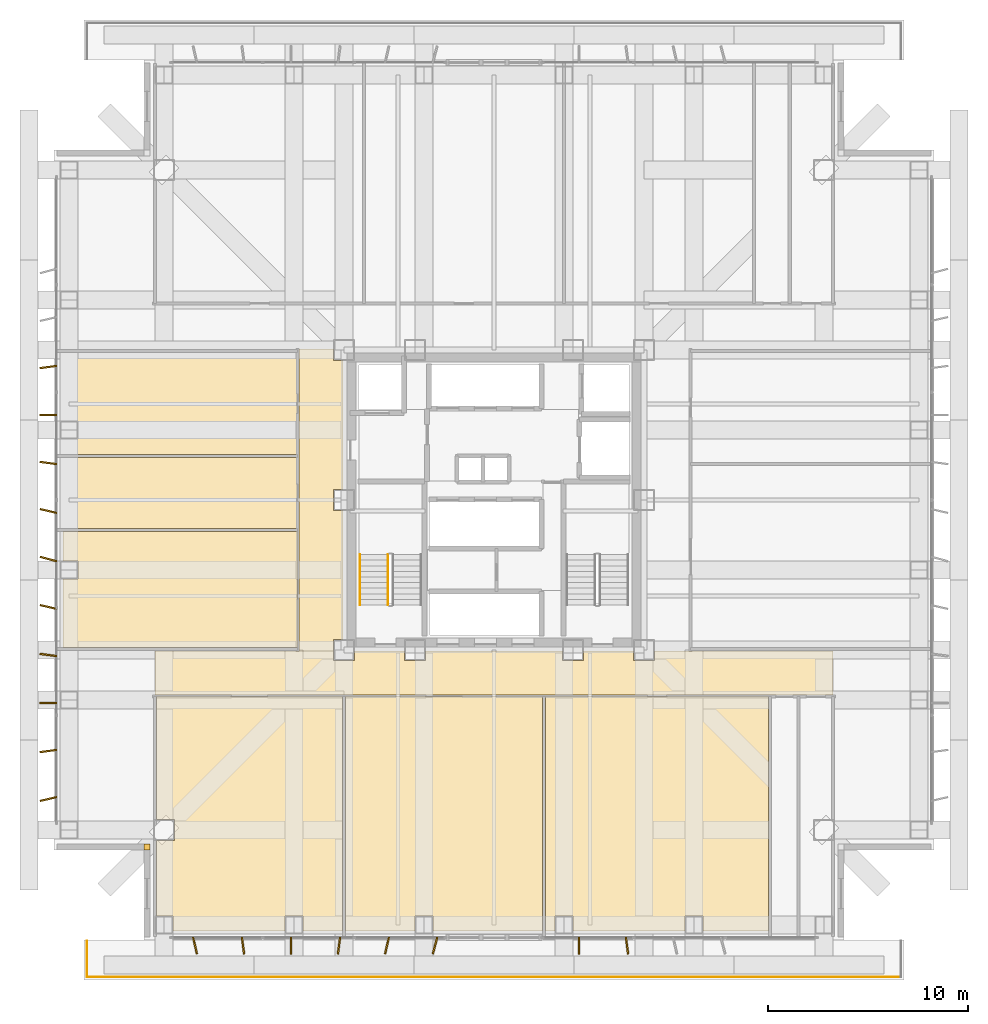
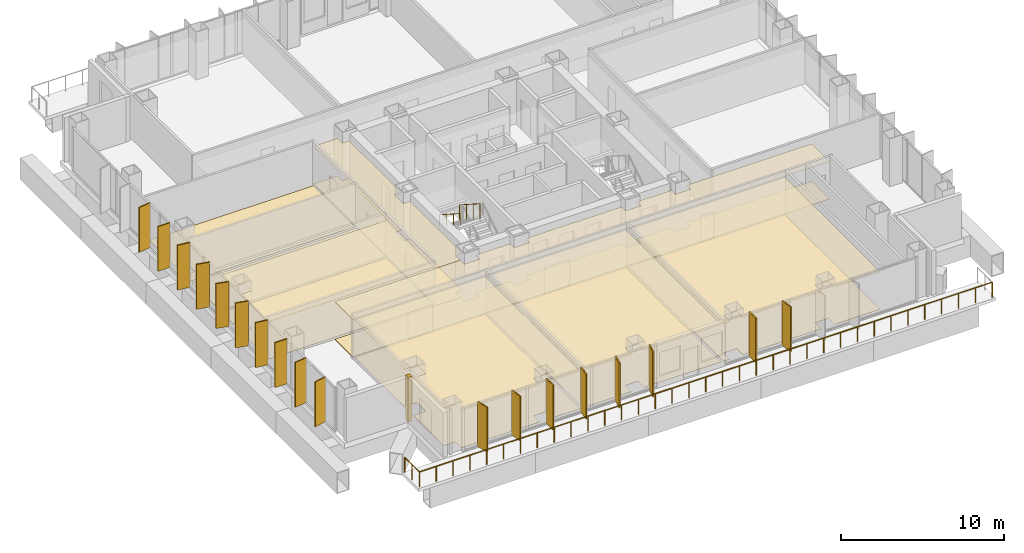
# One storey, part 15 of 17: 18 shading devices, 15 coverings, 4 railings.
"""IFC4 building model written with IfcOpenShell, lengths in metres."""

import ifcopenshell
import ifcopenshell.guid

model = None  # the IFC model being written
_history = None  # IfcOwnerHistory: only IFC2X3 demands one
_inside = {}  # id of a spatial element -> (the spatial element, [elements in it])
_under = {}  # id of a project, library or spatial element -> (it, [spatial elements below it])
_declared = {}  # id of a project -> (the project, [libraries it declares])
_typed = {}  # id of a type object -> (the type object, [elements of that type])
_made_of = {}  # id of a material, layer set ... -> (it, [elements and type objects made of it])


def new_model(schema):
    """Start an empty IFC model of exactly this schema.

    Asked for "IFC4X3", IfcOpenShell would pick the latest addendum, in which some entities
    have other attributes; the version numbers below select the first issue.
    IFC2X3 requires an IfcOwnerHistory on every rooted entity: one is made here for all.
    """
    global model, _history
    if schema == "IFC4X3":
        model = ifcopenshell.file(schema_version=(4, 3, 0, 0))
    else:
        model = ifcopenshell.file(schema=schema)
    _inside.clear()
    _under.clear()
    _declared.clear()
    _typed.clear()
    _made_of.clear()
    _history = None
    if model.schema == "IFC2X3":
        org = make("IfcOrganization", Name="unknown")
        user = make(
            "IfcPersonAndOrganization",
            ThePerson=make("IfcPerson", FamilyName="unknown"),
            TheOrganization=org,
        )
        app = make(
            "IfcApplication",
            ApplicationDeveloper=org,
            Version="unknown",
            ApplicationFullName="unknown",
            ApplicationIdentifier="unknown",
        )
        _history = make(
            "IfcOwnerHistory",
            OwningUser=user,
            OwningApplication=app,
            ChangeAction="ADDED",
            CreationDate=0,
        )
    return model


def make(cls, **values):
    """One entity of the class cls with the attributes given. An attribute that is None is left unset."""
    return model.create_entity(
        cls, **{name: value for name, value in values.items() if value is not None}
    )


def rooted(cls, **values):
    """An entity with a GlobalId (a new one), such as an element, a storey or a relation."""
    return make(cls, GlobalId=ifcopenshell.guid.new(), OwnerHistory=_history, **values)


def si_unit(unit_type, name, prefix=None):
    """IfcSIUnit, for example si_unit("LENGTHUNIT", "METRE", prefix="MILLI")."""
    return make("IfcSIUnit", UnitType=unit_type, Prefix=prefix, Name=name)


def assignment(units):
    """IfcUnitAssignment: the units of a project."""
    return None if units is None else make("IfcUnitAssignment", Units=units)


def point(xyz):
    """IfcCartesianPoint."""
    return None if xyz is None else make("IfcCartesianPoint", Coordinates=xyz)


def direction(xyz):
    """IfcDirection."""
    return None if xyz is None else make("IfcDirection", DirectionRatios=xyz)


def frame(location, z_axis=None, x_axis=None):
    """IfcAxis2Placement3D, a coordinate frame: its origin and axes. An axis left out is left unset."""
    return make(
        "IfcAxis2Placement3D",
        Location=point(location),
        Axis=direction(z_axis),
        RefDirection=direction(x_axis),
    )


def frame_2d(location, x_axis=None):
    """IfcAxis2Placement2D, a coordinate frame in the plane: its origin and x axis."""
    return make(
        "IfcAxis2Placement2D", Location=point(location), RefDirection=direction(x_axis)
    )


def origin():
    """The frame at (0, 0, 0) with its axes left unset."""
    return frame((0.0, 0.0, 0.0))


def origin_2d():
    """The frame at (0, 0) in the plane with its x axis left unset."""
    return frame_2d((0.0, 0.0))


def place(relative_to, where):
    """IfcLocalPlacement: puts the frame where relative to a parent placement (None: the world)."""
    return make(
        "IfcLocalPlacement", PlacementRelTo=relative_to, RelativePlacement=where
    )


def context(
    kind, dimensions, precision=None, world=None, true_north=None, identifier=None
):
    """IfcGeometricRepresentationContext, for example the 3D "Model" context."""
    return make(
        "IfcGeometricRepresentationContext",
        ContextIdentifier=identifier,
        ContextType=kind,
        CoordinateSpaceDimension=dimensions,
        Precision=precision,
        WorldCoordinateSystem=world,
        TrueNorth=true_north,
    )


def subcontext(parent, identifier, kind, view, scale=None):
    """IfcGeometricRepresentationSubContext, for example "Body" below "Model"."""
    return make(
        "IfcGeometricRepresentationSubContext",
        ContextIdentifier=identifier,
        ContextType=kind,
        ParentContext=parent,
        TargetScale=scale,
        TargetView=view,
    )


def project(units=None, contexts=None):
    """IfcProject with its units and contexts."""
    return rooted(
        "IfcProject",
        Name="project",
        RepresentationContexts=contexts,
        UnitsInContext=assignment(units),
    )


def spatial(cls, under=None, at=None, **own):
    """A site, building, storey or space (cls), placed at a placement, below another one or the project."""
    s = rooted(cls, ObjectPlacement=at, **own)
    if under is not None:
        _under.setdefault(under.id(), (under, []))[1].append(s)
    return s


def polyline(points):
    """IfcPolyline through the points."""
    return make("IfcPolyline", Points=[point(p) for p in points])


def profile(cls, at=None, kind="AREA", **sizes):
    """A parametric profile (cls). Its sizes go by their IFC names, for example OverallWidth=200.0."""
    return make(cls, ProfileType=kind, Position=at, **sizes)


def rectangle(**sizes):
    """IfcRectangleProfileDef."""
    return profile("IfcRectangleProfileDef", **sizes)


def circle(**sizes):
    """IfcCircleProfileDef."""
    return profile("IfcCircleProfileDef", **sizes)


def outline(outer, holes=None, kind="AREA"):
    """IfcArbitraryClosedProfileDef: a profile drawn as a closed curve; with holes, ...WithVoids."""
    if holes is None:
        return make("IfcArbitraryClosedProfileDef", ProfileType=kind, OuterCurve=outer)
    return make(
        "IfcArbitraryProfileDefWithVoids",
        ProfileType=kind,
        OuterCurve=outer,
        InnerCurves=holes,
    )


def extrude(swept, where, along, depth):
    """IfcExtrudedAreaSolid: the profile swept, set in the frame where, extruded along a direction by depth."""
    return make(
        "IfcExtrudedAreaSolid",
        SweptArea=swept,
        Position=where,
        ExtrudedDirection=direction(along),
        Depth=depth,
    )


def shape(context_of_items, identifier, shape_type, items):
    """IfcShapeRepresentation: the items that make up one representation, for example the "Body"."""
    return make(
        "IfcShapeRepresentation",
        ContextOfItems=context_of_items,
        RepresentationIdentifier=identifier,
        RepresentationType=shape_type,
        Items=items,
    )


def material(Name=None, Category=None):
    """IfcMaterial."""
    return make("IfcMaterial", Name=Name, Category=Category)


def layer(
    of_material, thickness, ventilated=None, Name=None, Category=None, Priority=None
):
    """IfcMaterialLayer: one layer of a wall or slab, of a material (None: an air gap)."""
    return make(
        "IfcMaterialLayer",
        Material=of_material,
        LayerThickness=thickness,
        IsVentilated=ventilated,
        Name=Name,
        Category=Category,
        Priority=Priority,
    )


def layer_set(layers, Name=None):
    """IfcMaterialLayerSet."""
    return make("IfcMaterialLayerSet", MaterialLayers=layers, LayerSetName=Name)


def made_of(thing, what):
    """Note that an element or type object is made of a material, layer set ...; save() writes the relation."""
    if what is not None:
        _made_of.setdefault(what.id(), (what, []))[1].append(thing)
    return thing


def type_object(cls, material=None, **own):
    """A type object (cls), such as IfcWallType, which elements share."""
    return made_of(rooted(cls, **own), material)


def element(
    cls,
    number,
    at=None,
    inside=None,
    cuts=None,
    type_object=None,
    material=None,
    context=None,
    identifier="Body",
    shape_type=None,
    held_by="IfcProductDefinitionShape",
    body=None,
    shapes=None,
    **own,
):
    """One element of the class cls, such as IfcWall. Its Tag is "e" and its number.

    at: its placement. inside: the storey or other place that contains it. cuts: it is an
    opening in that element (IfcRelVoidsElement). A single representation is given by context,
    identifier, shape_type and body (its items); several are given by shapes. held_by: the class
    of the entity that holds the representations. save() writes the other relations.
    """
    e = rooted(cls, Tag="e%d" % number, ObjectPlacement=at, **own)
    if body is not None:
        shapes = [shape(context, identifier, shape_type, body)]
    if shapes is not None:
        e.Representation = make(held_by, Representations=shapes)
    if inside is not None:
        _inside.setdefault(inside.id(), (inside, []))[1].append(e)
    if cuts is not None:
        rooted(
            "IfcRelVoidsElement", RelatingBuildingElement=cuts, RelatedOpeningElement=e
        )
    if type_object is not None:
        _typed.setdefault(type_object.id(), (type_object, []))[1].append(e)
    return made_of(e, material)


def aggregate(whole, parts):
    """IfcRelAggregates: a whole, such as a stair, and the parts it consists of."""
    return rooted("IfcRelAggregates", RelatingObject=whole, RelatedObjects=parts)


def save(model, path):
    """Write the relations noted so far, then the file.

    IfcRelAggregates (storeys below a building ...), IfcRelContainedInSpatialStructure (elements
    in a storey), IfcRelDefinesByType, IfcRelAssociatesMaterial and IfcRelDeclares: one each for
    every whole, place, type object, material and project.
    """
    for whole, parts in _under.values():
        aggregate(whole, parts)
    for where, things in _inside.values():
        rooted(
            "IfcRelContainedInSpatialStructure",
            RelatedElements=things,
            RelatingStructure=where,
        )
    for kind, things in _typed.values():
        rooted("IfcRelDefinesByType", RelatedObjects=things, RelatingType=kind)
    for what, things in _made_of.values():
        rooted("IfcRelAssociatesMaterial", RelatedObjects=things, RelatingMaterial=what)
    for by, libraries in _declared.values():
        rooted("IfcRelDeclares", RelatingContext=by, RelatedDefinitions=libraries)
    model.write(path)


model = new_model("IFC4")

# Units and contexts
model_context = context("Model", 3, precision=1e-05, world=origin(), true_north=direction((0.0, 1.0)))
body_context = subcontext(model_context, "Body", "Model", "MODEL_VIEW")
ifc_project = project(units=[si_unit("LENGTHUNIT", "METRE"), si_unit("AREAUNIT", "SQUARE_METRE"), si_unit("VOLUMEUNIT", "CUBIC_METRE"), si_unit("PLANEANGLEUNIT", "RADIAN"), si_unit("MASSUNIT", "GRAM", prefix="KILO")], contexts=[model_context])

# Site, building, storey
site_placement = place(None, origin())
site = spatial("IfcSite", under=ifc_project, at=site_placement, CompositionType="ELEMENT")
building_placement = place(site_placement, origin())
building = spatial("IfcBuilding", under=site, at=building_placement, Name="Trevonay Congress Spire", CompositionType="ELEMENT")
storey_placement = place(building_placement, frame((0.0, 0.0, 94.0)))
storey = spatial("IfcBuildingStorey", under=building, at=storey_placement, Name="L23", CompositionType="ELEMENT", Elevation=94.0)

# Coverings
ifc_material_1 = material(Name="Acoustic Mineral Fibre Board", Category="gypsum")
ifc_layer_1 = layer(ifc_material_1, 0.02490234375, Name="Acoustic Mineral Fibre Board")
ifc_layer_set_1 = layer_set([ifc_layer_1], Name="Acoustic Mineral Fibre Board")
covering_type_1 = type_object("IfcCoveringType", Name="COV-CEIL-ACOUSTIC", PredefinedType="CEILING", material=ifc_layer_set_1)
covering_1_placement = place(storey_placement, frame((0.0, 0.0, 2.81005859375)))
element("IfcCovering", 1, at=covering_1_placement, inside=storey, type_object=covering_type_1, Name="L23 Sky Lobby Concourse South acoustic suspended ceiling", PredefinedType="CEILING", context=body_context, shape_type="SweptSolid", body=[
    extrude(outline(polyline([(16.949951171875, -7.550048828125), (16.949951171875, -9.75), (-16.949951171875, -9.75), (-16.949951171875, -7.550048828125), (-8.034912109375, -7.550048828125), (-8.034912109375, -8.034912109375), (-6.965087890625, -8.034912109375), (-6.965087890625, -7.550048828125), (-4.485107421875, -7.550048828125), (-4.485107421875, -8.034912109375), (-3.4150390625, -8.034912109375), (-3.4150390625, -7.550048828125), (3.4150390625, -7.550048828125), (3.4150390625, -8.034912109375), (4.485107421875, -8.034912109375), (4.485107421875, -7.550048828125), (6.965087890625, -7.550048828125), (6.965087890625, -8.034912109375), (8.034912109375, -8.034912109375), (8.034912109375, -7.550048828125), (16.949951171875, -7.550048828125)])), origin(), (0.0, 0.0, 1.0), 0.02490234375),
])
covering_2_placement = place(storey_placement, frame((0.0, 0.0, 2.81005859375)))
element("IfcCovering", 2, at=covering_2_placement, inside=storey, type_object=covering_type_1, Name="L23 Sky Lobby Concourse West acoustic suspended ceiling", PredefinedType="CEILING", context=body_context, shape_type="SweptSolid", body=[
    extrude(outline(polyline([(-9.75, 7.550048828125), (-8.034912109375, 7.550048828125), (-8.034912109375, 6.965087890625), (-7.550048828125, 6.965087890625), (-7.550048828125, 0.534912109375), (-8.034912109375, 0.534912109375), (-8.034912109375, -0.534912109375), (-7.550048828125, -0.534912109375), (-7.550048828125, -6.965087890625), (-8.034912109375, -6.965087890625), (-8.034912109375, -7.550048828125), (-9.75, -7.550048828125), (-9.75, 7.550048828125)])), origin(), (0.0, 0.0, 1.0), 0.02490234375),
])
covering_3_placement = place(storey_placement, frame((0.0, 0.0, 2.81005859375)))
element("IfcCovering", 3, at=covering_3_placement, inside=storey, type_object=covering_type_1, Name="L23 Zone 2 Sky-Garden Reception Lounge acoustic suspended ceiling", PredefinedType="CEILING", context=body_context, shape_type="SweptSolid", body=[
    extrude(outline(polyline([(-16.0400390625, -21.550048828125), (-16.0400390625, -20.7900390625), (-16.8701171875, -20.7900390625), (-16.8701171875, -17.034912109375), (-15.965087890625, -17.034912109375), (-15.965087890625, -15.965087890625), (-16.8701171875, -15.965087890625), (-16.8701171875, -9.830078125), (-7.580078125, -9.830078125), (-7.580078125, -21.550048828125), (-9.5400390625, -21.550048828125), (-9.5400390625, -20.7900390625), (-10.4599609375, -20.7900390625), (-10.4599609375, -21.550048828125), (-16.0400390625, -21.550048828125)])), origin(), (0.0, 0.0, 1.0), 0.02490234375),
])
covering_4_placement = place(storey_placement, frame((0.0, 0.0, 2.81005859375)))
element("IfcCovering", 4, at=covering_4_placement, inside=storey, type_object=covering_type_1, Name="L23 Delegate Espresso Bar acoustic suspended ceiling", PredefinedType="CEILING", context=body_context, shape_type="SweptSolid", body=[
    extrude(outline(polyline([(-7.419921875, -21.550048828125), (-7.419921875, -9.830078125), (2.419921875, -9.830078125), (2.419921875, -21.550048828125), (-3.0400390625, -21.550048828125), (-3.0400390625, -20.7900390625), (-3.9599609375, -20.7900390625), (-3.9599609375, -21.550048828125), (-7.419921875, -21.550048828125)])), origin(), (0.0, 0.0, 1.0), 0.02490234375),
])
covering_5_placement = place(storey_placement, frame((0.0, 0.0, 2.81005859375)))
element("IfcCovering", 5, at=covering_5_placement, inside=storey, type_object=covering_type_1, Name="L23 Sky-Lobby Concierge Office acoustic suspended ceiling", PredefinedType="CEILING", context=body_context, shape_type="SweptSolid", body=[
    extrude(outline(polyline([(2.580078125, -21.550048828125), (2.580078125, -9.830078125), (13.719970703125, -9.830078125), (13.719970703125, -21.550048828125), (10.4599609375, -21.550048828125), (10.4599609375, -20.7900390625), (9.5400390625, -20.7900390625), (9.5400390625, -21.550048828125), (3.9599609375, -21.550048828125), (3.9599609375, -20.7900390625), (3.0400390625, -20.7900390625), (3.0400390625, -21.550048828125), (2.580078125, -21.550048828125)])), origin(), (0.0, 0.0, 1.0), 0.02490234375),
])
covering_6_placement = place(storey_placement, frame((0.0, 0.0, 2.81005859375)))
element("IfcCovering", 6, at=covering_6_placement, inside=storey, type_object=covering_type_1, Name="L23 Accreditation Desk Hall acoustic suspended ceiling", PredefinedType="CEILING", context=body_context, shape_type="SweptSolid", body=[
    extrude(outline(polyline([(-21.550048828125, -1.580078125), (-9.830078125, -1.580078125), (-9.830078125, -7.3701171875), (-21.550048828125, -7.3701171875), (-21.550048828125, -3.9599609375), (-20.7900390625, -3.9599609375), (-20.7900390625, -3.0400390625), (-21.550048828125, -3.0400390625), (-21.550048828125, -1.580078125)])), origin(), (0.0, 0.0, 1.0), 0.02490234375),
])
ifc_material_2 = material(Name="Polished Granite Floor Tile", Category="masonry")
ifc_layer_2 = layer(ifc_material_2, 0.02001953125, Name="Polished Granite Floor Tile")
ifc_layer_set_2 = layer_set([ifc_layer_2], Name="Polished Granite Floor Tile")
covering_type_2 = type_object("IfcCoveringType", Name="COV-FLOOR-STONE", PredefinedType="FLOORING", material=ifc_layer_set_2)
covering_7_placement = place(storey_placement, origin())
element("IfcCovering", 7, at=covering_7_placement, inside=storey, type_object=covering_type_2, Name="L23 Sky Lobby Concourse South floor finish", PredefinedType="FLOORING", context=body_context, shape_type="SweptSolid", body=[
    extrude(outline(polyline([(16.949951171875, -7.550048828125), (16.949951171875, -9.75), (-16.949951171875, -9.75), (-16.949951171875, -7.550048828125), (-8.034912109375, -7.550048828125), (-8.034912109375, -8.034912109375), (-6.965087890625, -8.034912109375), (-6.965087890625, -7.550048828125), (-4.485107421875, -7.550048828125), (-4.485107421875, -8.034912109375), (-3.4150390625, -8.034912109375), (-3.4150390625, -7.550048828125), (3.4150390625, -7.550048828125), (3.4150390625, -8.034912109375), (4.485107421875, -8.034912109375), (4.485107421875, -7.550048828125), (6.965087890625, -7.550048828125), (6.965087890625, -8.034912109375), (8.034912109375, -8.034912109375), (8.034912109375, -7.550048828125), (16.949951171875, -7.550048828125)])), origin(), (0.0, 0.0, 1.0), 0.02001953125),
])
covering_8_placement = place(storey_placement, origin())
element("IfcCovering", 8, at=covering_8_placement, inside=storey, type_object=covering_type_2, Name="L23 Sky Lobby Concourse West floor finish", PredefinedType="FLOORING", context=body_context, shape_type="SweptSolid", body=[
    extrude(outline(polyline([(-9.75, 7.550048828125), (-8.034912109375, 7.550048828125), (-8.034912109375, 6.965087890625), (-7.550048828125, 6.965087890625), (-7.550048828125, 0.534912109375), (-8.034912109375, 0.534912109375), (-8.034912109375, -0.534912109375), (-7.550048828125, -0.534912109375), (-7.550048828125, -6.965087890625), (-8.034912109375, -6.965087890625), (-8.034912109375, -7.550048828125), (-9.75, -7.550048828125), (-9.75, 7.550048828125)])), origin(), (0.0, 0.0, 1.0), 0.02001953125),
])
covering_9_placement = place(storey_placement, origin())
element("IfcCovering", 9, at=covering_9_placement, inside=storey, type_object=covering_type_2, Name="L23 Delegate Espresso Bar floor finish", PredefinedType="FLOORING", context=body_context, shape_type="SweptSolid", body=[
    extrude(outline(polyline([(-7.419921875, -21.550048828125), (-7.419921875, -9.830078125), (2.419921875, -9.830078125), (2.419921875, -21.550048828125), (-3.0400390625, -21.550048828125), (-3.0400390625, -20.7900390625), (-3.9599609375, -20.7900390625), (-3.9599609375, -21.550048828125), (-7.419921875, -21.550048828125)])), origin(), (0.0, 0.0, 1.0), 0.02001953125),
])
covering_10_placement = place(storey_placement, origin())
element("IfcCovering", 10, at=covering_10_placement, inside=storey, type_object=covering_type_2, Name="L23 Male Restroom WC floor finish", PredefinedType="FLOORING", context=body_context, shape_type="SweptSolid", body=[
    extrude(outline(polyline([(-21.550048828125, -1.419921875), (-9.830078125, -1.419921875), (-9.830078125, 2.1201171875), (-21.550048828125, 2.1201171875), (-21.550048828125, -1.419921875)])), origin(), (0.0, 0.0, 1.0), 0.02001953125),
])
covering_11_placement = place(storey_placement, origin())
element("IfcCovering", 11, at=covering_11_placement, inside=storey, type_object=covering_type_2, Name="L23 Luggage Room floor finish", PredefinedType="FLOORING", context=body_context, shape_type="SweptSolid", body=[
    extrude(outline(polyline([(-21.550048828125, 7.3701171875), (-9.830078125, 7.3701171875), (-9.830078125, 2.280029296875), (-21.550048828125, 2.280029296875), (-21.550048828125, 3.0400390625), (-20.7900390625, 3.0400390625), (-20.7900390625, 3.9599609375), (-21.550048828125, 3.9599609375), (-21.550048828125, 7.3701171875)])), origin(), (0.0, 0.0, 1.0), 0.02001953125),
])
ifc_material_3 = material(Name="Engineered Oak Flooring", Category="wood")
ifc_layer_3 = layer(ifc_material_3, 0.01806640625, Name="Engineered Oak Flooring")
ifc_layer_set_3 = layer_set([ifc_layer_3], Name="Engineered Oak Flooring")
covering_type_3 = type_object("IfcCoveringType", Name="COV-FLOOR-TIMBER", PredefinedType="FLOORING", material=ifc_layer_set_3)
covering_12_placement = place(storey_placement, origin())
element("IfcCovering", 12, at=covering_12_placement, inside=storey, type_object=covering_type_3, Name="L23 Zone 2 Sky-Garden Reception Lounge floor finish", PredefinedType="FLOORING", context=body_context, shape_type="SweptSolid", body=[
    extrude(outline(polyline([(-16.0400390625, -21.550048828125), (-16.0400390625, -20.7900390625), (-16.8701171875, -20.7900390625), (-16.8701171875, -17.034912109375), (-15.965087890625, -17.034912109375), (-15.965087890625, -15.965087890625), (-16.8701171875, -15.965087890625), (-16.8701171875, -9.830078125), (-7.580078125, -9.830078125), (-7.580078125, -21.550048828125), (-9.5400390625, -21.550048828125), (-9.5400390625, -20.7900390625), (-10.4599609375, -20.7900390625), (-10.4599609375, -21.550048828125), (-16.0400390625, -21.550048828125)])), origin(), (0.0, 0.0, 1.0), 0.01806640625),
])
covering_13_placement = place(storey_placement, origin())
element("IfcCovering", 13, at=covering_13_placement, inside=storey, type_object=covering_type_3, Name="L23 Sky-Lobby Concierge Office floor finish", PredefinedType="FLOORING", context=body_context, shape_type="SweptSolid", body=[
    extrude(outline(polyline([(2.580078125, -21.550048828125), (2.580078125, -9.830078125), (13.719970703125, -9.830078125), (13.719970703125, -21.550048828125), (10.4599609375, -21.550048828125), (10.4599609375, -20.7900390625), (9.5400390625, -20.7900390625), (9.5400390625, -21.550048828125), (3.9599609375, -21.550048828125), (3.9599609375, -20.7900390625), (3.0400390625, -20.7900390625), (3.0400390625, -21.550048828125), (2.580078125, -21.550048828125)])), origin(), (0.0, 0.0, 1.0), 0.01806640625),
])
covering_14_placement = place(storey_placement, origin())
element("IfcCovering", 14, at=covering_14_placement, inside=storey, type_object=covering_type_3, Name="L23 Accreditation Desk Hall floor finish", PredefinedType="FLOORING", context=body_context, shape_type="SweptSolid", body=[
    extrude(outline(polyline([(-21.550048828125, -1.580078125), (-9.830078125, -1.580078125), (-9.830078125, -7.3701171875), (-21.550048828125, -7.3701171875), (-21.550048828125, -3.9599609375), (-20.7900390625, -3.9599609375), (-20.7900390625, -3.0400390625), (-21.550048828125, -3.0400390625), (-21.550048828125, -1.580078125)])), origin(), (0.0, 0.0, 1.0), 0.01806640625),
])
ifc_material_4 = material(Name="Pale Anodised Aluminium EN AW-6063-T6", Category="aluminium")
ifc_layer_4 = layer(ifc_material_4, 0.0400390625, Name="Pale Anodised Aluminium EN AW-6063-T6")
ifc_layer_set_4 = layer_set([ifc_layer_4], Name="Pale Anodised Aluminium EN AW-6063-T6")
covering_type_4 = type_object("IfcCoveringType", Name="COV-SPANDREL-PALE-METAL", PredefinedType="CLADDING", material=ifc_layer_set_4)
covering_15_placement = place(storey_placement, origin())
element("IfcCovering", 15, at=covering_15_placement, inside=storey, type_object=covering_type_4, Name="L23 SW re-entrant notch corner closure trim", PredefinedType="CLADDING", context=body_context, shape_type="SweptSolid", body=[
    extrude(outline(polyline([(-17.5, -17.5), (-17.199951171875, -17.5), (-17.199951171875, -17.199951171875), (-17.5, -17.199951171875), (-17.5, -17.5)])), origin(), (0.0, 0.0, 1.0), 3.360107421875),
])

# Railings
railing_type_1 = type_object("IfcRailingType", Name="RAL-BALUSTRADE-115", PredefinedType="BALUSTRADE", material=ifc_material_4)
railing_1_placement = place(storey_placement, frame((-20.35009765625, -22.050048828125, 0.0)))
element("IfcRailing", 16, at=railing_1_placement, inside=storey, type_object=railing_type_1, Name="L23 perimeter safety guard GRD-L23-SKY-S-1", PredefinedType="BALUSTRADE", context=body_context, shape_type="SweptSolid", body=[
    extrude(circle(Radius=0.02392578125, at=origin_2d()), frame((0.0, 0.0, 1.1259765625), z_axis=(0.0, -1.0, 0.0), x_axis=(1.0, 0.0, 0.0)), (0.0, 0.0, 1.0), 1.800048828125),
    extrude(circle(Radius=0.02099609375, at=origin_2d()), origin(), (0.0, 0.0, 1.0), 1.101806640625),
    extrude(circle(Radius=0.02099609375, at=origin_2d()), frame((0.0, -0.89990234375, 0.0)), (0.0, 0.0, 1.0), 1.101806640625),
    extrude(circle(Radius=0.02099609375, at=origin_2d()), frame((0.0, -1.800048828125, 0.0)), (0.0, 0.0, 1.0), 1.101806640625),
])
railing_2_placement = place(storey_placement, frame((-20.35009765625, -23.85009765625, 0.0)))
element("IfcRailing", 17, at=railing_2_placement, inside=storey, type_object=railing_type_1, Name="L23 perimeter safety guard GRD-L23-SKY-S-2", PredefinedType="BALUSTRADE", context=body_context, shape_type="SweptSolid", body=[
    extrude(circle(Radius=0.02392578125, at=origin_2d()), frame((0.0, 0.0, 1.1259765625), z_axis=(1.0, 0.0, 0.0), x_axis=(0.0, 1.0, 0.0)), (0.0, 0.0, 1.0), 40.7001953125),
    extrude(circle(Radius=0.02099609375, at=origin_2d()), origin(), (0.0, 0.0, 1.0), 1.101806640625),
    extrude(circle(Radius=0.02099609375, at=origin_2d()), frame((1.197021484375, 0.0, 0.0)), (0.0, 0.0, 1.0), 1.101806640625),
    extrude(circle(Radius=0.02099609375, at=origin_2d()), frame((2.39404296875, 0.0, 0.0)), (0.0, 0.0, 1.0), 1.101806640625),
    extrude(circle(Radius=0.02099609375, at=origin_2d()), frame((3.59130859375, 0.0, 0.0)), (0.0, 0.0, 1.0), 1.101806640625),
    extrude(circle(Radius=0.02099609375, at=origin_2d()), frame((4.788330078125, 0.0, 0.0)), (0.0, 0.0, 1.0), 1.101806640625),
    extrude(circle(Radius=0.02099609375, at=origin_2d()), frame((5.9853515625, 0.0, 0.0)), (0.0, 0.0, 1.0), 1.101806640625),
    extrude(circle(Radius=0.02099609375, at=origin_2d()), frame((7.182373046875, 0.0, 0.0)), (0.0, 0.0, 1.0), 1.101806640625),
    extrude(circle(Radius=0.02099609375, at=origin_2d()), frame((8.37939453125, 0.0, 0.0)), (0.0, 0.0, 1.0), 1.101806640625),
    extrude(circle(Radius=0.02099609375, at=origin_2d()), frame((9.576416015625, 0.0, 0.0)), (0.0, 0.0, 1.0), 1.101806640625),
    extrude(circle(Radius=0.02099609375, at=origin_2d()), frame((10.773681640625, 0.0, 0.0)), (0.0, 0.0, 1.0), 1.101806640625),
    extrude(circle(Radius=0.02099609375, at=origin_2d()), frame((11.970703125, 0.0, 0.0)), (0.0, 0.0, 1.0), 1.101806640625),
    extrude(circle(Radius=0.02099609375, at=origin_2d()), frame((13.167724609375, 0.0, 0.0)), (0.0, 0.0, 1.0), 1.101806640625),
    extrude(circle(Radius=0.02099609375, at=origin_2d()), frame((14.36474609375, 0.0, 0.0)), (0.0, 0.0, 1.0), 1.101806640625),
    extrude(circle(Radius=0.02099609375, at=origin_2d()), frame((15.561767578125, 0.0, 0.0)), (0.0, 0.0, 1.0), 1.101806640625),
    extrude(circle(Radius=0.02099609375, at=origin_2d()), frame((16.7587890625, 0.0, 0.0)), (0.0, 0.0, 1.0), 1.101806640625),
    extrude(circle(Radius=0.02099609375, at=origin_2d()), frame((17.9560546875, 0.0, 0.0)), (0.0, 0.0, 1.0), 1.101806640625),
    extrude(circle(Radius=0.02099609375, at=origin_2d()), frame((19.153076171875, 0.0, 0.0)), (0.0, 0.0, 1.0), 1.101806640625),
    extrude(circle(Radius=0.02099609375, at=origin_2d()), frame((20.35009765625, 0.0, 0.0)), (0.0, 0.0, 1.0), 1.101806640625),
    extrude(circle(Radius=0.02099609375, at=origin_2d()), frame((21.547119140625, 0.0, 0.0)), (0.0, 0.0, 1.0), 1.101806640625),
    extrude(circle(Radius=0.02099609375, at=origin_2d()), frame((22.744140625, 0.0, 0.0)), (0.0, 0.0, 1.0), 1.101806640625),
    extrude(circle(Radius=0.02099609375, at=origin_2d()), frame((23.94140625, 0.0, 0.0)), (0.0, 0.0, 1.0), 1.101806640625),
    extrude(circle(Radius=0.02099609375, at=origin_2d()), frame((25.138427734375, 0.0, 0.0)), (0.0, 0.0, 1.0), 1.101806640625),
    extrude(circle(Radius=0.02099609375, at=origin_2d()), frame((26.33544921875, 0.0, 0.0)), (0.0, 0.0, 1.0), 1.101806640625),
    extrude(circle(Radius=0.02099609375, at=origin_2d()), frame((27.532470703125, 0.0, 0.0)), (0.0, 0.0, 1.0), 1.101806640625),
    extrude(circle(Radius=0.02099609375, at=origin_2d()), frame((28.7294921875, 0.0, 0.0)), (0.0, 0.0, 1.0), 1.101806640625),
    extrude(circle(Radius=0.02099609375, at=origin_2d()), frame((29.926513671875, 0.0, 0.0)), (0.0, 0.0, 1.0), 1.101806640625),
    extrude(circle(Radius=0.02099609375, at=origin_2d()), frame((31.123779296875, 0.0, 0.0)), (0.0, 0.0, 1.0), 1.101806640625),
    extrude(circle(Radius=0.02099609375, at=origin_2d()), frame((32.32080078125, 0.0, 0.0)), (0.0, 0.0, 1.0), 1.101806640625),
    extrude(circle(Radius=0.02099609375, at=origin_2d()), frame((33.517822265625, 0.0, 0.0)), (0.0, 0.0, 1.0), 1.101806640625),
    extrude(circle(Radius=0.02099609375, at=origin_2d()), frame((34.71484375, 0.0, 0.0)), (0.0, 0.0, 1.0), 1.101806640625),
    extrude(circle(Radius=0.02099609375, at=origin_2d()), frame((35.911865234375, 0.0, 0.0)), (0.0, 0.0, 1.0), 1.101806640625),
    extrude(circle(Radius=0.02099609375, at=origin_2d()), frame((37.10888671875, 0.0, 0.0)), (0.0, 0.0, 1.0), 1.101806640625),
    extrude(circle(Radius=0.02099609375, at=origin_2d()), frame((38.30615234375, 0.0, 0.0)), (0.0, 0.0, 1.0), 1.101806640625),
    extrude(circle(Radius=0.02099609375, at=origin_2d()), frame((39.503173828125, 0.0, 0.0)), (0.0, 0.0, 1.0), 1.101806640625),
    extrude(circle(Radius=0.02099609375, at=origin_2d()), frame((40.7001953125, 0.0, 0.0)), (0.0, 0.0, 1.0), 1.101806640625),
])
railing_type_2 = type_object("IfcRailingType", Name="RAL-STAIR-GUARD-110", PredefinedType="GUARDRAIL", material=ifc_material_4)
railing_3_placement = place(storey_placement, frame((-5.300048828125, -2.72998046875, 1.97998046875)))
element("IfcRailing", 18, at=railing_3_placement, inside=storey, type_object=railing_type_2, Name="L23 ST-1 stair guard 3", PredefinedType="GUARDRAIL", context=body_context, shape_type="SweptSolid", body=[
    extrude(circle(Radius=0.02392578125, at=origin_2d()), frame((0.0, 0.0, 1.1259765625), z_axis=(0.0, -0.841162588446, 0.540782303519), x_axis=(1.0, 0.0, 0.0)), (0.0, 0.0, 1.0), 2.995849609375),
    extrude(circle(Radius=0.02099609375, at=origin_2d()), origin(), (0.0, 0.0, 1.0), 1.101806640625),
    extrude(circle(Radius=0.02099609375, at=origin_2d()), frame((0.0, -0.840087890625, 0.5400390625)), (0.0, 0.0, 1.0), 1.101806640625),
    extrude(circle(Radius=0.02099609375, at=origin_2d()), frame((0.0, -1.679931640625, 1.080078125)), (0.0, 0.0, 1.0), 1.101806640625),
    extrude(circle(Radius=0.02099609375, at=origin_2d()), frame((0.0, -2.52001953125, 1.6201171875)), (0.0, 0.0, 1.0), 1.101806640625),
])
railing_type_3 = type_object("IfcRailingType", Name="RAL-STAIR-HANDRAIL", PredefinedType="HANDRAIL", material=ifc_material_4)
railing_4_placement = place(storey_placement, frame((-6.699951171875, -2.72998046875, 1.97998046875)))
element("IfcRailing", 19, at=railing_4_placement, inside=storey, type_object=railing_type_3, Name="L23 ST-1 stair handrail 2", PredefinedType="HANDRAIL", context=body_context, shape_type="SweptSolid", body=[
    extrude(circle(Radius=0.02392578125, at=origin_2d()), frame((0.0, 0.0, 0.8759765625), z_axis=(0.0, -0.841162588446, 0.540782303519), x_axis=(1.0, 0.0, 0.0)), (0.0, 0.0, 1.0), 2.995849609375),
    extrude(circle(Radius=0.02099609375, at=origin_2d()), origin(), (0.0, 0.0, 1.0), 0.851806640625),
    extrude(circle(Radius=0.02099609375, at=origin_2d()), frame((0.0, -0.840087890625, 0.5400390625)), (0.0, 0.0, 1.0), 0.851806640625),
    extrude(circle(Radius=0.02099609375, at=origin_2d()), frame((0.0, -1.679931640625, 1.080078125)), (0.0, 0.0, 1.0), 0.851806640625),
    extrude(circle(Radius=0.02099609375, at=origin_2d()), frame((0.0, -2.52001953125, 1.6201171875)), (0.0, 0.0, 1.0), 0.851806640625),
])

# Shading devices
shading_device_type = type_object("IfcShadingDeviceType", Name="SHD-FIN-Z2-PALE-METAL", PredefinedType="USERDEFINED", material=ifc_material_4)
for number, where, z_axis, x_axis, name in (
    (20, (-14.949951171875, -22.280029296875, 0.0), (0.0, 0.0, 1.0), (0.97440931131, 0.224780991261, 0.0), "L23 S vertical pale-metal solar fin 1"),
    (21, (-12.550048828125, -22.280029296875, 0.0), (0.0, 0.0, 1.0), (0.991444861374, 0.13052619222, 0.0), "L23 S vertical pale-metal solar fin 2"),
    (22, (-10.14990234375, -22.280029296875, 0.0), (0.0, 0.0, 1.0), (1.0, 0.0, 0.0), "L23 S vertical pale-metal solar fin 3"),
    (23, (-7.75, -22.280029296875, 0.0), (0.0, 0.0, 1.0), (0.991444861374, -0.13052619222, 0.0), "L23 S vertical pale-metal solar fin 4"),
    (24, (-5.35009765625, -22.280029296875, 0.0), (0.0, 0.0, 1.0), (0.97440931131, -0.224780991261, 0.0), "L23 S vertical pale-metal solar fin 5"),
    (25, (-2.949951171875, -22.280029296875, 0.0), (0.0, 0.0, 1.0), (0.965925826289, -0.258819045103, 0.0), "L23 S vertical pale-metal solar fin 6"),
    (26, (4.25, -22.280029296875, 0.0), (0.0, 0.0, 1.0), (1.0, 0.0, 0.0), "L23 S vertical pale-metal solar fin 9"),
    (27, (6.64990234375, -22.280029296875, 0.0), (0.0, 0.0, 1.0), (0.991444861374, 0.13052619222, 0.0), "L23 S vertical pale-metal solar fin 10"),
    (28, (-22.280029296875, -14.949951171875, 0.0), (0.0, 0.0, 1.0), (-0.224780991261, 0.97440931131, 0.0), "L23 W vertical pale-metal solar fin 1"),
    (29, (-22.280029296875, -12.550048828125, 0.0), (0.0, 0.0, 1.0), (-0.13052619222, 0.991444861374, 0.0), "L23 W vertical pale-metal solar fin 2"),
    (30, (-22.280029296875, -10.14990234375, 0.0), (0.0, 0.0, 1.0), (0.0, 1.0, 0.0), "L23 W vertical pale-metal solar fin 3"),
    (31, (-22.280029296875, -7.75, 0.0), (0.0, 0.0, 1.0), (0.13052619222, 0.991444861374, 0.0), "L23 W vertical pale-metal solar fin 4"),
    (32, (-22.280029296875, -5.35009765625, 0.0), (0.0, 0.0, 1.0), (0.224780991261, 0.97440931131, 0.0), "L23 W vertical pale-metal solar fin 5"),
    (33, (-22.280029296875, -2.949951171875, 0.0), (0.0, 0.0, 1.0), (0.258819045103, 0.965925826289, 0.0), "L23 W vertical pale-metal solar fin 6"),
    (34, (-22.280029296875, -0.550048828125, 0.0), (0.0, 0.0, 1.0), (0.224780991261, 0.97440931131, 0.0), "L23 W vertical pale-metal solar fin 7"),
    (35, (-22.280029296875, 1.85009765625, 0.0), (0.0, 0.0, 1.0), (0.13052619222, 0.991444861374, 0.0), "L23 W vertical pale-metal solar fin 8"),
    (36, (-22.280029296875, 4.25, 0.0), (0.0, 0.0, 1.0), (0.0, 1.0, 0.0), "L23 W vertical pale-metal solar fin 9"),
    (37, (-22.280029296875, 6.64990234375, 0.0), (0.0, 0.0, 1.0), (-0.13052619222, 0.991444861374, 0.0), "L23 W vertical pale-metal solar fin 10"),
):
    element("IfcShadingDevice", number, at=place(storey_placement, frame(where, z_axis=z_axis, x_axis=x_axis)), inside=storey, type_object=shading_device_type, Name=name, ObjectType="SOLAR FIN", PredefinedType="USERDEFINED", context=body_context, shape_type="SweptSolid", body=[
        extrude(rectangle(XDim=0.080078125, YDim=0.85009765625, at=origin_2d()), origin(), (0.0, 0.0, 1.0), 3.360107421875),
    ])

save(model, "model.ifc")
